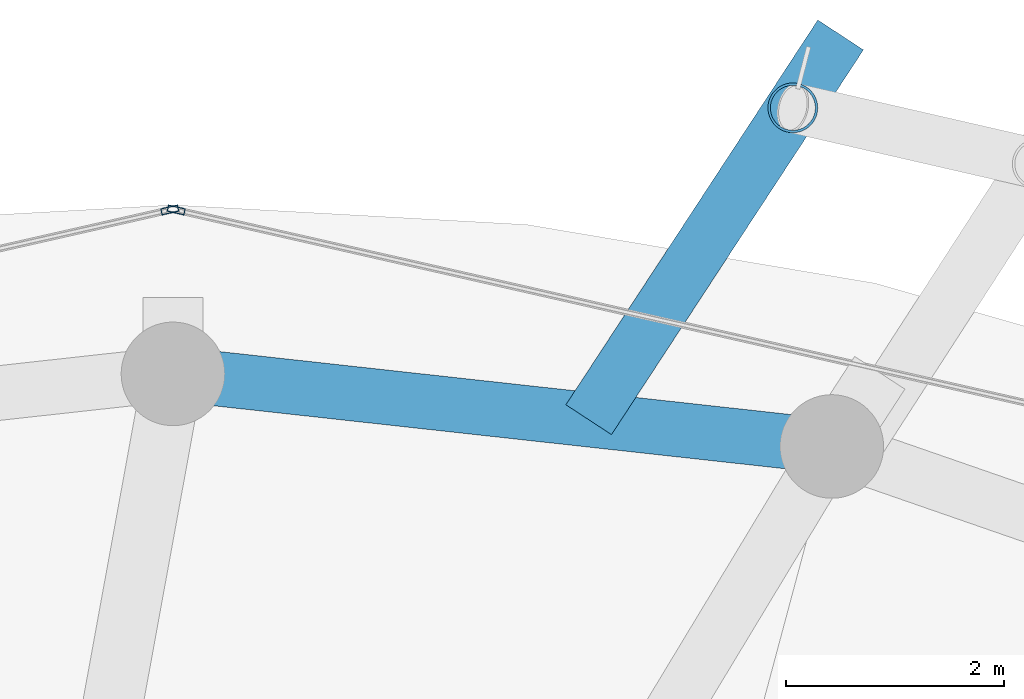
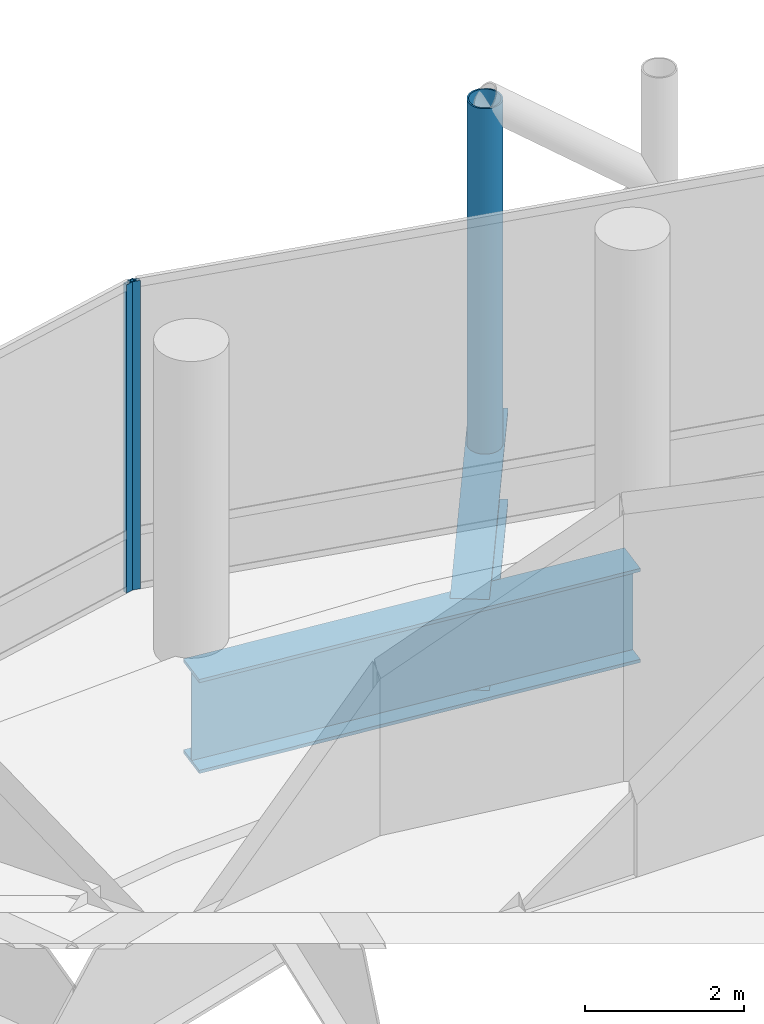
# One storey, part 17 of 29: 3 members, 2 beams, 2 elements without a shape of their own.
"""IFC4 building model written with IfcOpenShell, lengths in metres."""

import ifcopenshell
import ifcopenshell.guid

model = None  # the IFC model being written
_history = None  # IfcOwnerHistory: only IFC2X3 demands one
_inside = {}  # id of a spatial element -> (the spatial element, [elements in it])
_under = {}  # id of a project, library or spatial element -> (it, [spatial elements below it])
_declared = {}  # id of a project -> (the project, [libraries it declares])
_typed = {}  # id of a type object -> (the type object, [elements of that type])
_made_of = {}  # id of a material, layer set ... -> (it, [elements and type objects made of it])


def new_model(schema):
    """Start an empty IFC model of exactly this schema.

    Asked for "IFC4X3", IfcOpenShell would pick the latest addendum, in which some entities
    have other attributes; the version numbers below select the first issue.
    IFC2X3 requires an IfcOwnerHistory on every rooted entity: one is made here for all.
    """
    global model, _history
    if schema == "IFC4X3":
        model = ifcopenshell.file(schema_version=(4, 3, 0, 0))
    else:
        model = ifcopenshell.file(schema=schema)
    _inside.clear()
    _under.clear()
    _declared.clear()
    _typed.clear()
    _made_of.clear()
    _history = None
    if model.schema == "IFC2X3":
        org = make("IfcOrganization", Name="unknown")
        user = make(
            "IfcPersonAndOrganization",
            ThePerson=make("IfcPerson", FamilyName="unknown"),
            TheOrganization=org,
        )
        app = make(
            "IfcApplication",
            ApplicationDeveloper=org,
            Version="unknown",
            ApplicationFullName="unknown",
            ApplicationIdentifier="unknown",
        )
        _history = make(
            "IfcOwnerHistory",
            OwningUser=user,
            OwningApplication=app,
            ChangeAction="ADDED",
            CreationDate=0,
        )
    return model


def make(cls, **values):
    """One entity of the class cls with the attributes given. An attribute that is None is left unset."""
    return model.create_entity(
        cls, **{name: value for name, value in values.items() if value is not None}
    )


def rooted(cls, **values):
    """An entity with a GlobalId (a new one), such as an element, a storey or a relation."""
    return make(cls, GlobalId=ifcopenshell.guid.new(), OwnerHistory=_history, **values)


def si_unit(unit_type, name, prefix=None):
    """IfcSIUnit, for example si_unit("LENGTHUNIT", "METRE", prefix="MILLI")."""
    return make("IfcSIUnit", UnitType=unit_type, Prefix=prefix, Name=name)


def assignment(units):
    """IfcUnitAssignment: the units of a project."""
    return None if units is None else make("IfcUnitAssignment", Units=units)


def point(xyz):
    """IfcCartesianPoint."""
    return None if xyz is None else make("IfcCartesianPoint", Coordinates=xyz)


def direction(xyz):
    """IfcDirection."""
    return None if xyz is None else make("IfcDirection", DirectionRatios=xyz)


def frame(location, z_axis=None, x_axis=None):
    """IfcAxis2Placement3D, a coordinate frame: its origin and axes. An axis left out is left unset."""
    return make(
        "IfcAxis2Placement3D",
        Location=point(location),
        Axis=direction(z_axis),
        RefDirection=direction(x_axis),
    )


def frame_2d(location, x_axis=None):
    """IfcAxis2Placement2D, a coordinate frame in the plane: its origin and x axis."""
    return make(
        "IfcAxis2Placement2D", Location=point(location), RefDirection=direction(x_axis)
    )


def origin():
    """The frame at (0, 0, 0) with its axes left unset."""
    return frame((0.0, 0.0, 0.0))


def origin_2d():
    """The frame at (0, 0) in the plane with its x axis left unset."""
    return frame_2d((0.0, 0.0))


def place(relative_to, where):
    """IfcLocalPlacement: puts the frame where relative to a parent placement (None: the world)."""
    return make(
        "IfcLocalPlacement", PlacementRelTo=relative_to, RelativePlacement=where
    )


def context(
    kind, dimensions, precision=None, world=None, true_north=None, identifier=None
):
    """IfcGeometricRepresentationContext, for example the 3D "Model" context."""
    return make(
        "IfcGeometricRepresentationContext",
        ContextIdentifier=identifier,
        ContextType=kind,
        CoordinateSpaceDimension=dimensions,
        Precision=precision,
        WorldCoordinateSystem=world,
        TrueNorth=true_north,
    )


def subcontext(parent, identifier, kind, view, scale=None):
    """IfcGeometricRepresentationSubContext, for example "Body" below "Model"."""
    return make(
        "IfcGeometricRepresentationSubContext",
        ContextIdentifier=identifier,
        ContextType=kind,
        ParentContext=parent,
        TargetScale=scale,
        TargetView=view,
    )


def project(units=None, contexts=None):
    """IfcProject with its units and contexts."""
    return rooted(
        "IfcProject",
        Name="project",
        RepresentationContexts=contexts,
        UnitsInContext=assignment(units),
    )


def spatial(cls, under=None, at=None, **own):
    """A site, building, storey or space (cls), placed at a placement, below another one or the project."""
    s = rooted(cls, ObjectPlacement=at, **own)
    if under is not None:
        _under.setdefault(under.id(), (under, []))[1].append(s)
    return s


def profile(cls, at=None, kind="AREA", **sizes):
    """A parametric profile (cls). Its sizes go by their IFC names, for example OverallWidth=200.0."""
    return make(cls, ProfileType=kind, Position=at, **sizes)


def hollow_rectangle(**sizes):
    """IfcRectangleHollowProfileDef."""
    return profile("IfcRectangleHollowProfileDef", **sizes)


def hollow_circle(**sizes):
    """IfcCircleHollowProfileDef."""
    return profile("IfcCircleHollowProfileDef", **sizes)


def i_section(**sizes):
    """IfcIShapeProfileDef."""
    return profile("IfcIShapeProfileDef", **sizes)


def extrude(swept, where, along, depth):
    """IfcExtrudedAreaSolid: the profile swept, set in the frame where, extruded along a direction by depth."""
    return make(
        "IfcExtrudedAreaSolid",
        SweptArea=swept,
        Position=where,
        ExtrudedDirection=direction(along),
        Depth=depth,
    )


def shape(context_of_items, identifier, shape_type, items):
    """IfcShapeRepresentation: the items that make up one representation, for example the "Body"."""
    return make(
        "IfcShapeRepresentation",
        ContextOfItems=context_of_items,
        RepresentationIdentifier=identifier,
        RepresentationType=shape_type,
        Items=items,
    )


def material(Name=None, Category=None):
    """IfcMaterial."""
    return make("IfcMaterial", Name=Name, Category=Category)


def layer(
    of_material, thickness, ventilated=None, Name=None, Category=None, Priority=None
):
    """IfcMaterialLayer: one layer of a wall or slab, of a material (None: an air gap)."""
    return make(
        "IfcMaterialLayer",
        Material=of_material,
        LayerThickness=thickness,
        IsVentilated=ventilated,
        Name=Name,
        Category=Category,
        Priority=Priority,
    )


def layer_set(layers, Name=None):
    """IfcMaterialLayerSet."""
    return make("IfcMaterialLayerSet", MaterialLayers=layers, LayerSetName=Name)


def material_profile(
    of_material, cross_section, Name=None, Category=None, Priority=None
):
    """IfcMaterialProfile: a cross section and its material."""
    return make(
        "IfcMaterialProfile",
        Name=Name,
        Material=of_material,
        Profile=cross_section,
        Priority=Priority,
        Category=Category,
    )


def profile_set(profiles, Name=None, composite=None):
    """IfcMaterialProfileSet."""
    return make(
        "IfcMaterialProfileSet",
        Name=Name,
        MaterialProfiles=profiles,
        CompositeProfile=composite,
    )


def made_of(thing, what):
    """Note that an element or type object is made of a material, layer set ...; save() writes the relation."""
    if what is not None:
        _made_of.setdefault(what.id(), (what, []))[1].append(thing)
    return thing


def type_object(cls, material=None, **own):
    """A type object (cls), such as IfcWallType, which elements share."""
    return made_of(rooted(cls, **own), material)


def element(
    cls,
    number,
    at=None,
    inside=None,
    cuts=None,
    type_object=None,
    material=None,
    context=None,
    identifier="Body",
    shape_type=None,
    held_by="IfcProductDefinitionShape",
    body=None,
    shapes=None,
    **own,
):
    """One element of the class cls, such as IfcWall. Its Tag is "e" and its number.

    at: its placement. inside: the storey or other place that contains it. cuts: it is an
    opening in that element (IfcRelVoidsElement). A single representation is given by context,
    identifier, shape_type and body (its items); several are given by shapes. held_by: the class
    of the entity that holds the representations. save() writes the other relations.
    """
    e = rooted(cls, Tag="e%d" % number, ObjectPlacement=at, **own)
    if body is not None:
        shapes = [shape(context, identifier, shape_type, body)]
    if shapes is not None:
        e.Representation = make(held_by, Representations=shapes)
    if inside is not None:
        _inside.setdefault(inside.id(), (inside, []))[1].append(e)
    if cuts is not None:
        rooted(
            "IfcRelVoidsElement", RelatingBuildingElement=cuts, RelatedOpeningElement=e
        )
    if type_object is not None:
        _typed.setdefault(type_object.id(), (type_object, []))[1].append(e)
    return made_of(e, material)


def aggregate(whole, parts):
    """IfcRelAggregates: a whole, such as a stair, and the parts it consists of."""
    return rooted("IfcRelAggregates", RelatingObject=whole, RelatedObjects=parts)


def save(model, path):
    """Write the relations noted so far, then the file.

    IfcRelAggregates (storeys below a building ...), IfcRelContainedInSpatialStructure (elements
    in a storey), IfcRelDefinesByType, IfcRelAssociatesMaterial and IfcRelDeclares: one each for
    every whole, place, type object, material and project.
    """
    for whole, parts in _under.values():
        aggregate(whole, parts)
    for where, things in _inside.values():
        rooted(
            "IfcRelContainedInSpatialStructure",
            RelatedElements=things,
            RelatingStructure=where,
        )
    for kind, things in _typed.values():
        rooted("IfcRelDefinesByType", RelatedObjects=things, RelatingType=kind)
    for what, things in _made_of.values():
        rooted("IfcRelAssociatesMaterial", RelatedObjects=things, RelatingMaterial=what)
    for by, libraries in _declared.values():
        rooted("IfcRelDeclares", RelatingContext=by, RelatedDefinitions=libraries)
    model.write(path)


model = new_model("IFC4")

# Units and contexts
model_context = context("Model", 3, precision=1e-05, world=origin(), true_north=direction((0.0, 1.0)))
body_context = subcontext(model_context, "Body", "Model", "MODEL_VIEW")
ifc_project = project(units=[si_unit("LENGTHUNIT", "METRE"), si_unit("AREAUNIT", "SQUARE_METRE"), si_unit("VOLUMEUNIT", "CUBIC_METRE"), si_unit("PLANEANGLEUNIT", "RADIAN"), si_unit("MASSUNIT", "GRAM", prefix="KILO")], contexts=[model_context])

# Site, building, storey
site_placement = place(None, origin())
site = spatial("IfcSite", under=ifc_project, at=site_placement, CompositionType="ELEMENT")
building_placement = place(site_placement, origin())
building = spatial("IfcBuilding", under=site, at=building_placement, Name="Nuhasar Tower", CompositionType="ELEMENT")
storey_placement = place(building_placement, frame((0.0, 0.0, 113.25)))
storey = spatial("IfcBuildingStorey", under=building, at=storey_placement, Name="L26", CompositionType="ELEMENT", Elevation=113.25)

# Beams
ifc_material_1 = material(Name="Steel S460", Category="steel")
ifc_material_profile_1 = material_profile(ifc_material_1, i_section(OverallWidth=0.5, OverallDepth=1.449951171875, WebThickness=0.028076171875, FlangeThickness=0.050048828125, at=origin_2d()), Name="PG1450X500")
ifc_profile_set_1 = profile_set([ifc_material_profile_1], Name="Steel S460")
beam_type = type_object("IfcBeamType", Name="BM-XFER-PG1450", PredefinedType="USERDEFINED", material=ifc_profile_set_1)
beam_1_placement = place(storey_placement, frame((45.04296875, 45.68408203125, -1.044921875), z_axis=(-0.993981289157, 0.109549974015, 0.0), x_axis=(-0.109549974015, -0.993981289157, 0.0)))
element("IfcBeam", 1, at=beam_1_placement, inside=storey, type_object=beam_type, Name="L26 Perimeter Ring Spandrel 06", ObjectType="GIRDER", PredefinedType="USERDEFINED", context=body_context, shape_type="SweptSolid", body=[
    extrude(i_section(OverallWidth=0.5, OverallDepth=1.449951171875, WebThickness=0.028076171875, FlangeThickness=0.050048828125, at=origin_2d()), origin(), (0.0, 0.0, 1.0), 6.07958984375),
])
beam_2_placement = place(storey_placement, frame((42.81298828125, 45.929931640625, -1.044921875), z_axis=(0.547843326941, 0.836580951926, 0.0), x_axis=(-0.836580951926, 0.547843326941, 0.0)))
element("IfcBeam", 2, at=beam_2_placement, inside=storey, type_object=beam_type, Name="L26 Exoskeleton Step Transfer Girder 06", ObjectType="GIRDER", PredefinedType="USERDEFINED", context=body_context, shape_type="SweptSolid", body=[
    extrude(i_section(OverallWidth=0.5, OverallDepth=1.449951171875, WebThickness=0.028076171875, FlangeThickness=0.050048828125, at=origin_2d()), origin(), (0.0, 0.0, 1.0), 4.218505859375),
])

# Curtain wall, member
ifc_material_2 = material(Name="Aluminium 6063-T6", Category="aluminium")
ifc_layer = layer(ifc_material_2, 0.239990234375)
ifc_layer_set = layer_set([ifc_layer], Name="Aluminium 6063-T6")
curtain_wall_type = type_object("IfcCurtainWallType", Name="CW-SKY-LBY", PredefinedType="NOTDEFINED", material=ifc_layer_set)
curtain_wall_1_placement = place(storey_placement, origin())
curtain_wall_1 = element("IfcCurtainWall", 3, at=curtain_wall_1_placement, inside=storey, type_object=curtain_wall_type, Name="L26 Unitised Curtain Wall 03", PredefinedType="NOTDEFINED")
ifc_material_profile_2 = material_profile(ifc_material_2, hollow_rectangle(XDim=0.06005859375, YDim=0.159912109375, WallThickness=0.0048828125, at=origin_2d()), Name="CWM-6")
ifc_profile_set_2 = profile_set([ifc_material_profile_2], Name="Aluminium 6063-T6")
member_type_1 = type_object("IfcMemberType", Name="CW-MUL-S6", PredefinedType="MULLION", material=ifc_profile_set_2)
member_1_placement = place(storey_placement, frame((39.029296875, 47.853271484375, 0.0), z_axis=(0.0, 0.0, 1.0), x_axis=(-0.22139729566, -0.975183694221, 0.0)))
member_1 = element("IfcMember", 4, at=member_1_placement, type_object=member_type_1, Name="CW-SL mullion 2", PredefinedType="MULLION", context=body_context, shape_type="SweptSolid", body=[
    extrude(hollow_rectangle(XDim=0.06005859375, YDim=0.159912109375, WallThickness=0.0048828125, at=origin_2d()), origin(), (0.0, 0.0, 1.0), 4.75),
])
aggregate(curtain_wall_1, [member_1])

curtain_wall_2_placement = place(storey_placement, origin())
curtain_wall_2 = element("IfcCurtainWall", 5, at=curtain_wall_2_placement, inside=storey, type_object=curtain_wall_type, Name="L26 Unitised Curtain Wall 04", PredefinedType="NOTDEFINED")
member_2_placement = place(storey_placement, frame((38.970703125, 47.853271484375, 0.0), z_axis=(0.0, 0.0, 1.0), x_axis=(0.22139729566, -0.975183694221, 0.0)))
member_2 = element("IfcMember", 6, at=member_2_placement, type_object=member_type_1, Name="CW-SL mullion 1", PredefinedType="MULLION", context=body_context, shape_type="SweptSolid", body=[
    extrude(hollow_rectangle(XDim=0.06005859375, YDim=0.159912109375, WallThickness=0.0048828125, at=origin_2d()), origin(), (0.0, 0.0, 1.0), 4.75),
])
aggregate(curtain_wall_2, [member_2])

# Member
ifc_material_profile_3 = material_profile(ifc_material_1, hollow_circle(Radius=0.228515625, WallThickness=0.022216796875, at=origin_2d()), Name="HSS457X22.2")
ifc_profile_set_3 = profile_set([ifc_material_profile_3], Name="Steel S460")
member_type_2 = type_object("IfcMemberType", Name="EXO-BRONZE-457", PredefinedType="BRACE", material=ifc_profile_set_3)
member_3_placement = place(storey_placement, frame((44.68603515625, 48.7900390625, -0.320068359375), z_axis=(0.0, 0.0, 1.0), x_axis=(1.0, 0.0, 0.0)))
element("IfcMember", 7, at=member_3_placement, inside=storey, type_object=member_type_2, Name="L26 Exoskeleton Chord Column EC-03B", PredefinedType="BRACE", context=body_context, shape_type="SweptSolid", body=[
    extrude(hollow_circle(Radius=0.228515625, WallThickness=0.022216796875, at=origin_2d()), origin(), (0.0, 0.0, 1.0), 5.320068359375),
])

save(model, "model.ifc")
